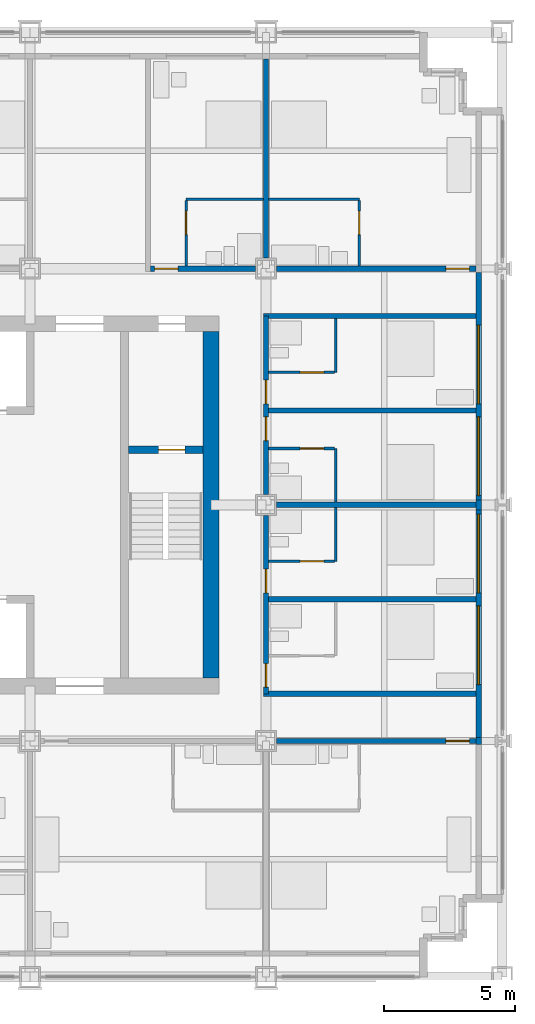
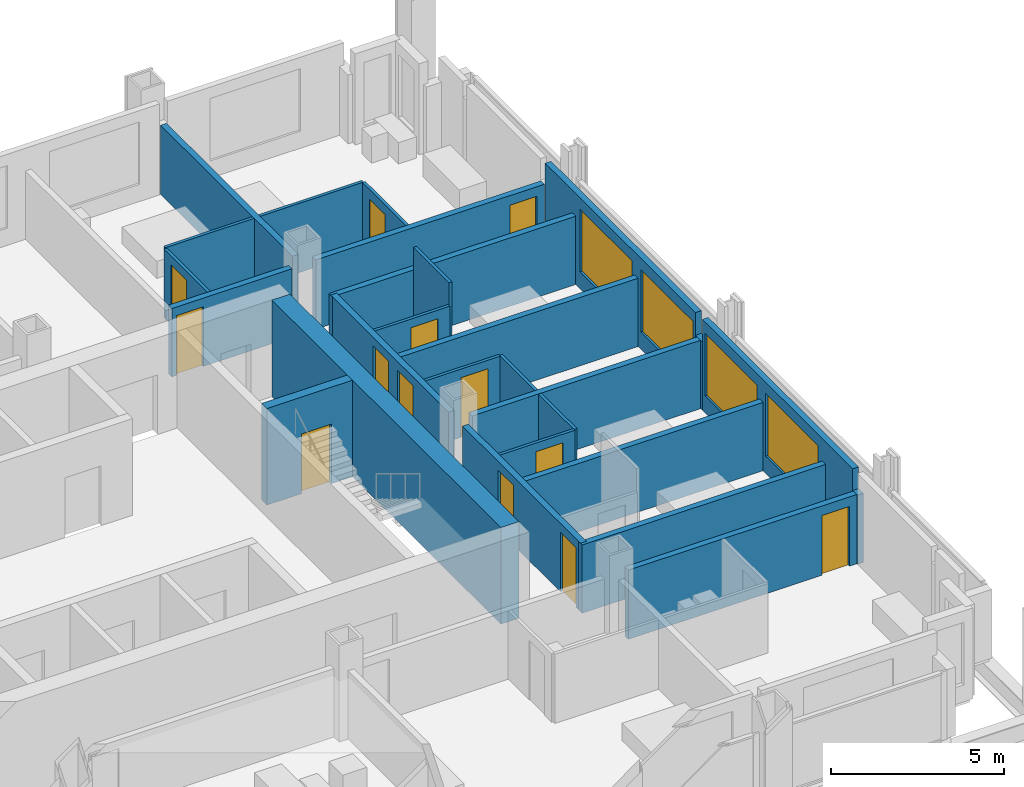
# One storey, part 12 of 16: 27 walls, 13 doors, 4 windows, 17 openings.
"""IFC4 building model written with IfcOpenShell, lengths in metres."""

from ifc_helpers import new_model, si_unit, direction, frame, frame_2d, origin, place, context, subcontext, project, spatial, rectangle, extrude, material, layer, layer_set, type_object, element, fill, save


model = new_model("IFC4")

# Units and contexts
model_context = context("Model", 3, precision=1e-05, world=origin(), true_north=direction((0.0, 1.0)))
body_context = subcontext(model_context, "Body", "Model", "MODEL_VIEW")
ifc_project = project(units=[si_unit("LENGTHUNIT", "METRE"), si_unit("AREAUNIT", "SQUARE_METRE"), si_unit("VOLUMEUNIT", "CUBIC_METRE"), si_unit("PLANEANGLEUNIT", "RADIAN"), si_unit("MASSUNIT", "GRAM", prefix="KILO")], contexts=[model_context])

# Site, building, storey
site_placement = place(None, origin())
site = spatial("IfcSite", under=ifc_project, at=site_placement, CompositionType="ELEMENT")
building_placement = place(site_placement, origin())
building = spatial("IfcBuilding", under=site, at=building_placement, Name="Loomwork Tower", CompositionType="ELEMENT")
storey_placement = place(building_placement, frame((0.0, 0.0, 107.800048828125)))
storey = spatial("IfcBuildingStorey", under=building, at=storey_placement, Name="L28", CompositionType="ELEMENT", Elevation=107.800048828125)

# Wall, opening, door
ifc_material_1 = material(Name="Concrete 14000 psi (97 MPa)", Category="concrete")
ifc_layer_1 = layer(ifc_material_1, 0.300048828125)
ifc_layer_set_1 = layer_set([ifc_layer_1], Name="Core shear wall 300")
wall_type_1 = type_object("IfcWallType", Name="Core shear wall 300", PredefinedType="SHEAR", material=ifc_layer_set_1)
wall_1_placement = place(storey_placement, frame((30.75, 20.10009765625, 0.0), z_axis=(0.0, 0.0, 1.0), x_axis=(1.0, 0.0, 0.0)))
wall_1 = element("IfcWall", 1, at=wall_1_placement, inside=storey, type_object=wall_type_1, Name="Stair B north wall L28", PredefinedType="SHEAR", context=body_context, shape_type="SweptSolid", body=[
    extrude(rectangle(XDim=2.85009765625, YDim=0.300048828125, at=frame_2d((1.425048828125, 0.0))), origin(), (0.0, 0.0, 1.0), 3.39990234375),
])
opening_1_placement = place(wall_1_placement, frame((1.14990234375, 0.0, 0.0)))
opening_1 = element("IfcOpeningElement", 2, at=opening_1_placement, cuts=wall_1, Name="Opening D4", PredefinedType="OPENING", context=body_context, shape_type="SweptSolid", body=[
    extrude(rectangle(XDim=1.0, YDim=2.10009765625, at=frame_2d((0.5, 1.050048828125))), frame((0.0, 0.159912109375, 0.0), z_axis=(0.0, -1.0, 0.0), x_axis=(1.0, 0.0, 0.0)), (0.0, 0.0, 1.0), 0.320068359375),
])
ifc_material_2 = material(Name="Hollow metal door and frame")
door_type_1 = type_object("IfcDoorType", Name="Stair door 1000", OperationType="SINGLE_SWING_RIGHT", PredefinedType="DOOR", material=ifc_material_2)
door_1_placement = place(opening_1_placement, frame((1.0, 0.0, 0.0), z_axis=(0.0, 0.0, 1.0), x_axis=(-1.0, 0.0, 0.0)))
door_1 = element("IfcDoor", 3, at=door_1_placement, inside=storey, type_object=door_type_1, Name="Stair B door", OperationType="SINGLE_SWING_LEFT", OverallHeight=2.10009765625, OverallWidth=1.0, PredefinedType="DOOR", context=body_context, shape_type="SweptSolid", body=[
    extrude(rectangle(XDim=1.0, YDim=2.10009765625, at=frame_2d((0.5, 1.050048828125))), frame((0.0, 0.02490234375, 0.0), z_axis=(0.0, -1.0, 0.0), x_axis=(1.0, 0.0, 0.0)), (0.0, 0.0, 1.0), 0.050048828125),
])
fill(opening_1, door_1)

# Wall
ifc_material_3 = material(Name="Concrete 14000 psi (97 MPa)", Category="concrete")
ifc_layer_2 = layer(ifc_material_3, 0.60009765625)
ifc_layer_set_2 = layer_set([ifc_layer_2], Name="Core shear wall 600")
wall_type_2 = type_object("IfcWallType", Name="Core shear wall 600", PredefinedType="SHEAR", material=ifc_layer_set_2)
wall_2_placement = place(storey_placement, frame((33.89990234375, 11.39990234375, 0.0), z_axis=(0.0, 0.0, 1.0), x_axis=(0.0, 1.0, 0.0)))
element("IfcWall", 4, at=wall_2_placement, inside=storey, type_object=wall_type_2, Name="Core wall east L28", PredefinedType="SHEAR", context=body_context, shape_type="SweptSolid", body=[
    extrude(rectangle(XDim=13.2001953125, YDim=0.60009765625, at=frame_2d((6.60009765625, 0.0))), origin(), (0.0, 0.0, 1.0), 3.39990234375),
])

# Wall, opening, door
ifc_material_4 = material(Name="Gypsum board on steel studs, one-hour", Category="steel")
ifc_layer_3 = layer(ifc_material_4, 0.199951171875)
ifc_layer_set_3 = layer_set([ifc_layer_3], Name="Corridor wall 200")
wall_type_3 = type_object("IfcWallType", Name="Corridor wall 200", PredefinedType="PARTITIONING", material=ifc_layer_set_3)
wall_3_placement = place(storey_placement, frame((36.39990234375, 9.0, 0.0), z_axis=(0.0, 0.0, 1.0), x_axis=(1.0, 0.0, 0.0)))
wall_3 = element("IfcWall", 5, at=wall_3_placement, inside=storey, type_object=wall_type_3, Name="South corridor wall 5", PredefinedType="PARTITIONING", context=body_context, shape_type="SweptSolid", body=[
    extrude(rectangle(XDim=7.60009765625, YDim=0.199951171875, at=frame_2d((3.800048828125, 0.0))), origin(), (0.0, 0.0, 1.0), 2.43798828125),
])
opening_2_placement = place(wall_3_placement, frame((6.449951171875, 0.0, 0.0)))
opening_2 = element("IfcOpeningElement", 6, at=opening_2_placement, cuts=wall_3, Name="Opening D1", PredefinedType="OPENING", context=body_context, shape_type="SweptSolid", body=[
    extrude(rectangle(XDim=0.89990234375, YDim=2.10009765625, at=frame_2d((0.449951171875, 1.050048828125))), frame((0.0, 0.10986328125, 0.0), z_axis=(0.0, -1.0, 0.0), x_axis=(1.0, 0.0, 0.0)), (0.0, 0.0, 1.0), 0.219970703125),
])
ifc_material_5 = material(Name="Hollow metal door and frame")
door_type_2 = type_object("IfcDoorType", Name="Guest room entry door 900", OperationType="SINGLE_SWING_LEFT", PredefinedType="DOOR", material=ifc_material_5)
door_2_placement = place(opening_2_placement, frame((0.89990234375, 0.0, 0.0), z_axis=(0.0, 0.0, 1.0), x_axis=(-1.0, 0.0, 0.0)))
door_2 = element("IfcDoor", 7, at=door_2_placement, inside=storey, type_object=door_type_2, Name="Guest room entry door L28 5", OperationType="SINGLE_SWING_LEFT", OverallHeight=2.10009765625, OverallWidth=0.89990234375, PredefinedType="DOOR", context=body_context, shape_type="SweptSolid", body=[
    extrude(rectangle(XDim=0.89990234375, YDim=2.10009765625, at=frame_2d((0.449951171875, 1.050048828125))), frame((0.0, 0.02490234375, 0.0), z_axis=(0.0, -1.0, 0.0), x_axis=(1.0, 0.0, 0.0)), (0.0, 0.0, 1.0), 0.050048828125),
])
fill(opening_2, door_2)

wall_4_placement = place(storey_placement, frame((31.60009765625, 27.0, 0.0), z_axis=(0.0, 0.0, 1.0), x_axis=(1.0, 0.0, 0.0)))
wall_4 = element("IfcWall", 8, at=wall_4_placement, inside=storey, type_object=wall_type_3, Name="North corridor wall 4", PredefinedType="PARTITIONING", context=body_context, shape_type="SweptSolid", body=[
    extrude(rectangle(XDim=4.0, YDim=0.199951171875, at=frame_2d((2.0, 0.0))), origin(), (0.0, 0.0, 1.0), 2.405029296875),
])
opening_3_placement = place(wall_4_placement, frame((0.14990234375, 0.0, 0.0)))
opening_3 = element("IfcOpeningElement", 9, at=opening_3_placement, cuts=wall_4, Name="Opening D1", PredefinedType="OPENING", context=body_context, shape_type="SweptSolid", body=[
    extrude(rectangle(XDim=0.89990234375, YDim=2.10009765625, at=frame_2d((0.449951171875, 1.050048828125))), frame((0.0, 0.10986328125, 0.0), z_axis=(0.0, -1.0, 0.0), x_axis=(1.0, 0.0, 0.0)), (0.0, 0.0, 1.0), 0.219970703125),
])
door_3_placement = place(opening_3_placement, origin())
door_3 = element("IfcDoor", 10, at=door_3_placement, inside=storey, type_object=door_type_2, Name="Guest room entry door L28 9", OperationType="SINGLE_SWING_LEFT", OverallHeight=2.10009765625, OverallWidth=0.89990234375, PredefinedType="DOOR", context=body_context, shape_type="SweptSolid", body=[
    extrude(rectangle(XDim=0.89990234375, YDim=2.10009765625, at=frame_2d((0.449951171875, 1.050048828125))), frame((0.0, 0.02490234375, 0.0), z_axis=(0.0, -1.0, 0.0), x_axis=(1.0, 0.0, 0.0)), (0.0, 0.0, 1.0), 0.050048828125),
])
fill(opening_3, door_3)

wall_5_placement = place(storey_placement, frame((36.39990234375, 27.0, 0.0), z_axis=(0.0, 0.0, 1.0), x_axis=(1.0, 0.0, 0.0)))
wall_5 = element("IfcWall", 11, at=wall_5_placement, inside=storey, type_object=wall_type_3, Name="North corridor wall 5", PredefinedType="PARTITIONING", context=body_context, shape_type="SweptSolid", body=[
    extrude(rectangle(XDim=7.60009765625, YDim=0.199951171875, at=frame_2d((3.800048828125, 0.0))), origin(), (0.0, 0.0, 1.0), 2.43798828125),
])
opening_4_placement = place(wall_5_placement, frame((6.449951171875, 0.0, 0.0)))
opening_4 = element("IfcOpeningElement", 12, at=opening_4_placement, cuts=wall_5, Name="Opening D1", PredefinedType="OPENING", context=body_context, shape_type="SweptSolid", body=[
    extrude(rectangle(XDim=0.89990234375, YDim=2.10009765625, at=frame_2d((0.449951171875, 1.050048828125))), frame((0.0, 0.10986328125, 0.0), z_axis=(0.0, -1.0, 0.0), x_axis=(1.0, 0.0, 0.0)), (0.0, 0.0, 1.0), 0.219970703125),
])
door_4_placement = place(opening_4_placement, origin())
door_4 = element("IfcDoor", 13, at=door_4_placement, inside=storey, type_object=door_type_2, Name="Guest room entry door L28 10", OperationType="SINGLE_SWING_RIGHT", OverallHeight=2.10009765625, OverallWidth=0.89990234375, PredefinedType="DOOR", context=body_context, shape_type="SweptSolid", body=[
    extrude(rectangle(XDim=0.89990234375, YDim=2.10009765625, at=frame_2d((0.449951171875, 1.050048828125))), frame((0.0, 0.02490234375, 0.0), z_axis=(0.0, -1.0, 0.0), x_axis=(1.0, 0.0, 0.0)), (0.0, 0.0, 1.0), 0.050048828125),
])
fill(opening_4, door_4)

# Wall, openings, doors
wall_6_placement = place(storey_placement, frame((36.0, 10.800048828125, 0.0), z_axis=(0.0, 0.0, 1.0), x_axis=(0.0, 1.0, 0.0)))
wall_6 = element("IfcWall", 14, at=wall_6_placement, inside=storey, type_object=wall_type_3, Name="East corridor wall 1", PredefinedType="PARTITIONING", context=body_context, shape_type="SweptSolid", body=[
    extrude(rectangle(XDim=6.800048828125, YDim=0.199951171875, at=frame_2d((3.39990234375, 0.0))), origin(), (0.0, 0.0, 1.0), 2.405029296875),
])
opening_5_placement = place(wall_6_placement, frame((0.25, 0.0, 0.0)))
opening_5 = element("IfcOpeningElement", 15, at=opening_5_placement, cuts=wall_6, Name="Opening D1", PredefinedType="OPENING", context=body_context, shape_type="SweptSolid", body=[
    extrude(rectangle(XDim=0.89990234375, YDim=2.10009765625, at=frame_2d((0.449951171875, 1.050048828125))), frame((0.0, 0.10986328125, 0.0), z_axis=(0.0, -1.0, 0.0), x_axis=(1.0, 0.0, 0.0)), (0.0, 0.0, 1.0), 0.219970703125),
])
opening_6_placement = place(wall_6_placement, frame((3.85009765625, 0.0, 0.0)))
opening_6 = element("IfcOpeningElement", 16, at=opening_6_placement, cuts=wall_6, Name="Opening D1", PredefinedType="OPENING", context=body_context, shape_type="SweptSolid", body=[
    extrude(rectangle(XDim=0.89990234375, YDim=2.10009765625, at=frame_2d((0.449951171875, 1.050048828125))), frame((0.0, 0.10986328125, 0.0), z_axis=(0.0, -1.0, 0.0), x_axis=(1.0, 0.0, 0.0)), (0.0, 0.0, 1.0), 0.219970703125),
])
door_5_placement = place(opening_5_placement, frame((0.89990234375, 0.0, 0.0), z_axis=(0.0, 0.0, 1.0), x_axis=(-1.0, 0.0, 0.0)))
door_5 = element("IfcDoor", 17, at=door_5_placement, inside=storey, type_object=door_type_2, Name="Guest room entry door L28 15", OperationType="SINGLE_SWING_RIGHT", OverallHeight=2.10009765625, OverallWidth=0.89990234375, PredefinedType="DOOR", context=body_context, shape_type="SweptSolid", body=[
    extrude(rectangle(XDim=0.89990234375, YDim=2.10009765625, at=frame_2d((0.449951171875, 1.050048828125))), frame((0.0, 0.02490234375, 0.0), z_axis=(0.0, -1.0, 0.0), x_axis=(1.0, 0.0, 0.0)), (0.0, 0.0, 1.0), 0.050048828125),
])
fill(opening_5, door_5)
door_6_placement = place(opening_6_placement, frame((0.89990234375, 0.0, 0.0), z_axis=(0.0, 0.0, 1.0), x_axis=(-1.0, 0.0, 0.0)))
door_6 = element("IfcDoor", 18, at=door_6_placement, inside=storey, type_object=door_type_2, Name="Guest room entry door L28 16", OperationType="SINGLE_SWING_RIGHT", OverallHeight=2.10009765625, OverallWidth=0.89990234375, PredefinedType="DOOR", context=body_context, shape_type="SweptSolid", body=[
    extrude(rectangle(XDim=0.89990234375, YDim=2.10009765625, at=frame_2d((0.449951171875, 1.050048828125))), frame((0.0, 0.02490234375, 0.0), z_axis=(0.0, -1.0, 0.0), x_axis=(1.0, 0.0, 0.0)), (0.0, 0.0, 1.0), 0.050048828125),
])
fill(opening_6, door_6)

wall_7_placement = place(storey_placement, frame((36.0, 18.39990234375, 0.0), z_axis=(0.0, 0.0, 1.0), x_axis=(0.0, 1.0, 0.0)))
wall_7 = element("IfcWall", 19, at=wall_7_placement, inside=storey, type_object=wall_type_3, Name="East corridor wall 2", PredefinedType="PARTITIONING", context=body_context, shape_type="SweptSolid", body=[
    extrude(rectangle(XDim=6.800048828125, YDim=0.199951171875, at=frame_2d((3.39990234375, 0.0))), origin(), (0.0, 0.0, 1.0), 2.405029296875),
])
opening_7_placement = place(wall_7_placement, frame((2.050048828125, 0.0, 0.0)))
opening_7 = element("IfcOpeningElement", 20, at=opening_7_placement, cuts=wall_7, Name="Opening D1", PredefinedType="OPENING", context=body_context, shape_type="SweptSolid", body=[
    extrude(rectangle(XDim=0.89990234375, YDim=2.10009765625, at=frame_2d((0.449951171875, 1.050048828125))), frame((0.0, 0.10986328125, 0.0), z_axis=(0.0, -1.0, 0.0), x_axis=(1.0, 0.0, 0.0)), (0.0, 0.0, 1.0), 0.219970703125),
])
opening_8_placement = place(wall_7_placement, frame((3.449951171875, 0.0, 0.0)))
opening_8 = element("IfcOpeningElement", 21, at=opening_8_placement, cuts=wall_7, Name="Opening D1", PredefinedType="OPENING", context=body_context, shape_type="SweptSolid", body=[
    extrude(rectangle(XDim=0.89990234375, YDim=2.10009765625, at=frame_2d((0.449951171875, 1.050048828125))), frame((0.0, 0.10986328125, 0.0), z_axis=(0.0, -1.0, 0.0), x_axis=(1.0, 0.0, 0.0)), (0.0, 0.0, 1.0), 0.219970703125),
])
door_7_placement = place(opening_7_placement, frame((0.89990234375, 0.0, 0.0), z_axis=(0.0, 0.0, 1.0), x_axis=(-1.0, 0.0, 0.0)))
door_7 = element("IfcDoor", 22, at=door_7_placement, inside=storey, type_object=door_type_2, Name="Guest room entry door L28 17", OperationType="SINGLE_SWING_LEFT", OverallHeight=2.10009765625, OverallWidth=0.89990234375, PredefinedType="DOOR", context=body_context, shape_type="SweptSolid", body=[
    extrude(rectangle(XDim=0.89990234375, YDim=2.10009765625, at=frame_2d((0.449951171875, 1.050048828125))), frame((0.0, 0.02490234375, 0.0), z_axis=(0.0, -1.0, 0.0), x_axis=(1.0, 0.0, 0.0)), (0.0, 0.0, 1.0), 0.050048828125),
])
fill(opening_7, door_7)
door_8_placement = place(opening_8_placement, frame((0.89990234375, 0.0, 0.0), z_axis=(0.0, 0.0, 1.0), x_axis=(-1.0, 0.0, 0.0)))
door_8 = element("IfcDoor", 23, at=door_8_placement, inside=storey, type_object=door_type_2, Name="Guest room entry door L28 18", OperationType="SINGLE_SWING_RIGHT", OverallHeight=2.10009765625, OverallWidth=0.89990234375, PredefinedType="DOOR", context=body_context, shape_type="SweptSolid", body=[
    extrude(rectangle(XDim=0.89990234375, YDim=2.10009765625, at=frame_2d((0.449951171875, 1.050048828125))), frame((0.0, 0.02490234375, 0.0), z_axis=(0.0, -1.0, 0.0), x_axis=(1.0, 0.0, 0.0)), (0.0, 0.0, 1.0), 0.050048828125),
])
fill(opening_8, door_8)

# Walls
for number, where, z_axis, x_axis, name in (
    (24, (35.89990234375, 10.800048828125, 0.0), (0.0, 0.0, 1.0), (1.0, 0.0, 0.0), "East band end wall S"),
    (25, (35.89990234375, 25.199951171875, 0.0), (0.0, 0.0, 1.0), (1.0, 0.0, 0.0), "East band end wall N"),
):
    element("IfcWall", number, at=place(storey_placement, frame(where, z_axis=z_axis, x_axis=x_axis)), inside=storey, type_object=wall_type_3, Name=name, PredefinedType="PARTITIONING", context=body_context, shape_type="SweptSolid", body=[
        extrude(rectangle(XDim=8.10009765625, YDim=0.199951171875, at=frame_2d((4.050048828125, 0.0))), origin(), (0.0, 0.0, 1.0), 2.404052734375),
    ])
ifc_material_6 = material(Name="Cement board on steel studs", Category="steel")
ifc_layer_4 = layer(ifc_material_6, 0.10009765625)
ifc_layer_set_4 = layer_set([ifc_layer_4], Name="En-suite partition 100")
wall_type_4 = type_object("IfcWallType", Name="En-suite partition 100", PredefinedType="PARTITIONING", material=ifc_layer_set_4)
wall_8_placement = place(storey_placement, frame((32.949951171875, 29.64990234375, 0.0), z_axis=(0.0, 0.0, 1.0), x_axis=(1.0, 0.0, 0.0)))
element("IfcWall", 26, at=wall_8_placement, inside=storey, type_object=wall_type_4, Name="En-suite wall L28 room 9", PredefinedType="PARTITIONING", context=body_context, shape_type="SweptSolid", body=[
    extrude(rectangle(XDim=2.949951171875, YDim=0.10009765625, at=frame_2d((1.47509765625, 0.0))), origin(), (0.0, 0.0, 1.0), 2.43798828125),
])

# Wall, opening, door
wall_9_placement = place(storey_placement, frame((32.949951171875, 27.10009765625, 0.0), z_axis=(0.0, 0.0, 1.0), x_axis=(0.0, 1.0, 0.0)))
wall_9 = element("IfcWall", 27, at=wall_9_placement, inside=storey, type_object=wall_type_4, Name="En-suite side wall L28 room 9", PredefinedType="PARTITIONING", context=body_context, shape_type="SweptSolid", body=[
    extrude(rectangle(XDim=2.5, YDim=0.10009765625, at=frame_2d((1.25, 0.0))), origin(), (0.0, 0.0, 1.0), 2.404052734375),
])
opening_9_placement = place(wall_9_placement, frame((1.199951171875, 0.0, 0.0)))
opening_9 = element("IfcOpeningElement", 28, at=opening_9_placement, cuts=wall_9, Name="Opening D2", PredefinedType="OPENING", context=body_context, shape_type="SweptSolid", body=[
    extrude(rectangle(XDim=0.89990234375, YDim=2.10009765625, at=frame_2d((0.449951171875, 1.050048828125))), frame((0.0, 0.06005859375, 0.0), z_axis=(0.0, -1.0, 0.0), x_axis=(1.0, 0.0, 0.0)), (0.0, 0.0, 1.0), 0.1201171875),
])
ifc_material_7 = material(Name="Hollow metal door and frame")
door_type_3 = type_object("IfcDoorType", Name="En-suite door 900", OperationType="SINGLE_SWING_LEFT", PredefinedType="DOOR", material=ifc_material_7)
door_9_placement = place(opening_9_placement, frame((0.89990234375, 0.0, 0.0), z_axis=(0.0, 0.0, 1.0), x_axis=(-1.0, 0.0, 0.0)))
door_9 = element("IfcDoor", 29, at=door_9_placement, inside=storey, type_object=door_type_3, Name="En-suite door room 9", OperationType="SINGLE_SWING_LEFT", OverallHeight=2.10009765625, OverallWidth=0.89990234375, PredefinedType="DOOR", context=body_context, shape_type="SweptSolid", body=[
    extrude(rectangle(XDim=0.89990234375, YDim=2.10009765625, at=frame_2d((0.449951171875, 1.050048828125))), frame((0.0, 0.02490234375, 0.0), z_axis=(0.0, -1.0, 0.0), x_axis=(1.0, 0.0, 0.0)), (0.0, 0.0, 1.0), 0.050048828125),
])
fill(opening_9, door_9)

# Wall
wall_10_placement = place(storey_placement, frame((36.10009765625, 29.64990234375, 0.0), z_axis=(0.0, 0.0, 1.0), x_axis=(1.0, 0.0, 0.0)))
element("IfcWall", 30, at=wall_10_placement, inside=storey, type_object=wall_type_4, Name="En-suite wall L28 room 10", PredefinedType="PARTITIONING", context=body_context, shape_type="SweptSolid", body=[
    extrude(rectangle(XDim=3.449951171875, YDim=0.10009765625, at=frame_2d((1.72509765625, 0.0))), origin(), (0.0, 0.0, 1.0), 2.43798828125),
])

# Wall, opening, door
wall_11_placement = place(storey_placement, frame((39.550048828125, 27.10009765625, 0.0), z_axis=(0.0, 0.0, 1.0), x_axis=(0.0, 1.0, 0.0)))
wall_11 = element("IfcWall", 31, at=wall_11_placement, inside=storey, type_object=wall_type_4, Name="En-suite side wall L28 room 10", PredefinedType="PARTITIONING", context=body_context, shape_type="SweptSolid", body=[
    extrude(rectangle(XDim=2.5, YDim=0.10009765625, at=frame_2d((1.25, 0.0))), origin(), (0.0, 0.0, 1.0), 2.43798828125),
])
opening_10_placement = place(wall_11_placement, frame((1.199951171875, 0.0, 0.0)))
opening_10 = element("IfcOpeningElement", 32, at=opening_10_placement, cuts=wall_11, Name="Opening D2", PredefinedType="OPENING", context=body_context, shape_type="SweptSolid", body=[
    extrude(rectangle(XDim=0.89990234375, YDim=2.10009765625, at=frame_2d((0.449951171875, 1.050048828125))), frame((0.0, 0.06005859375, 0.0), z_axis=(0.0, -1.0, 0.0), x_axis=(1.0, 0.0, 0.0)), (0.0, 0.0, 1.0), 0.1201171875),
])
door_10_placement = place(opening_10_placement, origin())
door_10 = element("IfcDoor", 33, at=door_10_placement, inside=storey, type_object=door_type_3, Name="En-suite door room 10", OperationType="SINGLE_SWING_RIGHT", OverallHeight=2.10009765625, OverallWidth=0.89990234375, PredefinedType="DOOR", context=body_context, shape_type="SweptSolid", body=[
    extrude(rectangle(XDim=0.89990234375, YDim=2.10009765625, at=frame_2d((0.449951171875, 1.050048828125))), frame((0.0, 0.02490234375, 0.0), z_axis=(0.0, -1.0, 0.0), x_axis=(1.0, 0.0, 0.0)), (0.0, 0.0, 1.0), 0.050048828125),
])
fill(opening_10, door_10)

# Wall
wall_12_placement = place(storey_placement, frame((38.64990234375, 15.85009765625, 0.0), z_axis=(0.0, 0.0, 1.0), x_axis=(0.0, 1.0, 0.0)))
element("IfcWall", 34, at=wall_12_placement, inside=storey, type_object=wall_type_4, Name="En-suite wall L28 room 16", PredefinedType="PARTITIONING", context=body_context, shape_type="SweptSolid", body=[
    extrude(rectangle(XDim=2.0498046875, YDim=0.10009765625, at=frame_2d((1.02490234375, 0.0))), origin(), (0.0, 0.0, 1.0), 2.404052734375),
])

# Wall, opening, door
wall_13_placement = place(storey_placement, frame((36.10009765625, 15.85009765625, 0.0), z_axis=(0.0, 0.0, 1.0), x_axis=(1.0, 0.0, 0.0)))
wall_13 = element("IfcWall", 35, at=wall_13_placement, inside=storey, type_object=wall_type_4, Name="En-suite side wall L28 room 16", PredefinedType="PARTITIONING", context=body_context, shape_type="SweptSolid", body=[
    extrude(rectangle(XDim=2.5, YDim=0.10009765625, at=frame_2d((1.25, 0.0))), origin(), (0.0, 0.0, 1.0), 2.404052734375),
])
opening_11_placement = place(wall_13_placement, frame((1.199951171875, 0.0, 0.0)))
opening_11 = element("IfcOpeningElement", 36, at=opening_11_placement, cuts=wall_13, Name="Opening D2", PredefinedType="OPENING", context=body_context, shape_type="SweptSolid", body=[
    extrude(rectangle(XDim=0.89990234375, YDim=2.10009765625, at=frame_2d((0.449951171875, 1.050048828125))), frame((0.0, 0.06005859375, 0.0), z_axis=(0.0, -1.0, 0.0), x_axis=(1.0, 0.0, 0.0)), (0.0, 0.0, 1.0), 0.1201171875),
])
door_11_placement = place(opening_11_placement, origin())
door_11 = element("IfcDoor", 37, at=door_11_placement, inside=storey, type_object=door_type_3, Name="En-suite door room 16", OperationType="SINGLE_SWING_RIGHT", OverallHeight=2.10009765625, OverallWidth=0.89990234375, PredefinedType="DOOR", context=body_context, shape_type="SweptSolid", body=[
    extrude(rectangle(XDim=0.89990234375, YDim=2.10009765625, at=frame_2d((0.449951171875, 1.050048828125))), frame((0.0, 0.02490234375, 0.0), z_axis=(0.0, -1.0, 0.0), x_axis=(1.0, 0.0, 0.0)), (0.0, 0.0, 1.0), 0.050048828125),
])
fill(opening_11, door_11)

# Wall
wall_14_placement = place(storey_placement, frame((38.64990234375, 18.10009765625, 0.0), z_axis=(0.0, 0.0, 1.0), x_axis=(0.0, 1.0, 0.0)))
element("IfcWall", 38, at=wall_14_placement, inside=storey, type_object=wall_type_4, Name="En-suite wall L28 room 17", PredefinedType="PARTITIONING", context=body_context, shape_type="SweptSolid", body=[
    extrude(rectangle(XDim=2.0498046875, YDim=0.10009765625, at=frame_2d((1.02490234375, 0.0))), origin(), (0.0, 0.0, 1.0), 2.404052734375),
])

# Wall, opening, door
wall_15_placement = place(storey_placement, frame((36.10009765625, 20.14990234375, 0.0), z_axis=(0.0, 0.0, 1.0), x_axis=(1.0, 0.0, 0.0)))
wall_15 = element("IfcWall", 39, at=wall_15_placement, inside=storey, type_object=wall_type_4, Name="En-suite side wall L28 room 17", PredefinedType="PARTITIONING", context=body_context, shape_type="SweptSolid", body=[
    extrude(rectangle(XDim=2.5, YDim=0.10009765625, at=frame_2d((1.25, 0.0))), origin(), (0.0, 0.0, 1.0), 2.404052734375),
])
opening_12_placement = place(wall_15_placement, frame((1.199951171875, 0.0, 0.0)))
opening_12 = element("IfcOpeningElement", 40, at=opening_12_placement, cuts=wall_15, Name="Opening D2", PredefinedType="OPENING", context=body_context, shape_type="SweptSolid", body=[
    extrude(rectangle(XDim=0.89990234375, YDim=2.10009765625, at=frame_2d((0.449951171875, 1.050048828125))), frame((0.0, 0.06005859375, 0.0), z_axis=(0.0, -1.0, 0.0), x_axis=(1.0, 0.0, 0.0)), (0.0, 0.0, 1.0), 0.1201171875),
])
door_12_placement = place(opening_12_placement, frame((0.89990234375, 0.0, 0.0), z_axis=(0.0, 0.0, 1.0), x_axis=(-1.0, 0.0, 0.0)))
door_12 = element("IfcDoor", 41, at=door_12_placement, inside=storey, type_object=door_type_3, Name="En-suite door room 17", OperationType="SINGLE_SWING_LEFT", OverallHeight=2.10009765625, OverallWidth=0.89990234375, PredefinedType="DOOR", context=body_context, shape_type="SweptSolid", body=[
    extrude(rectangle(XDim=0.89990234375, YDim=2.10009765625, at=frame_2d((0.449951171875, 1.050048828125))), frame((0.0, 0.02490234375, 0.0), z_axis=(0.0, -1.0, 0.0), x_axis=(1.0, 0.0, 0.0)), (0.0, 0.0, 1.0), 0.050048828125),
])
fill(opening_12, door_12)

# Wall
wall_16_placement = place(storey_placement, frame((38.64990234375, 23.050048828125, 0.0), z_axis=(0.0, 0.0, 1.0), x_axis=(0.0, 1.0, 0.0)))
element("IfcWall", 42, at=wall_16_placement, inside=storey, type_object=wall_type_4, Name="En-suite wall L28 room 18", PredefinedType="PARTITIONING", context=body_context, shape_type="SweptSolid", body=[
    extrude(rectangle(XDim=2.050048828125, YDim=0.10009765625, at=frame_2d((1.02490234375, 0.0))), origin(), (0.0, 0.0, 1.0), 3.199951171875),
])

# Wall, opening, door
wall_17_placement = place(storey_placement, frame((36.10009765625, 23.050048828125, 0.0), z_axis=(0.0, 0.0, 1.0), x_axis=(1.0, 0.0, 0.0)))
wall_17 = element("IfcWall", 43, at=wall_17_placement, inside=storey, type_object=wall_type_4, Name="En-suite side wall L28 room 18", PredefinedType="PARTITIONING", context=body_context, shape_type="SweptSolid", body=[
    extrude(rectangle(XDim=2.5, YDim=0.10009765625, at=frame_2d((1.25, 0.0))), origin(), (0.0, 0.0, 1.0), 2.404052734375),
])
opening_13_placement = place(wall_17_placement, frame((1.199951171875, 0.0, 0.0)))
opening_13 = element("IfcOpeningElement", 44, at=opening_13_placement, cuts=wall_17, Name="Opening D3", PredefinedType="OPENING", context=body_context, shape_type="SweptSolid", body=[
    extrude(rectangle(XDim=0.89990234375, YDim=2.10009765625, at=frame_2d((0.449951171875, 1.050048828125))), frame((0.0, 0.06005859375, 0.0), z_axis=(0.0, -1.0, 0.0), x_axis=(1.0, 0.0, 0.0)), (0.0, 0.0, 1.0), 0.1201171875),
])
ifc_material_8 = material(Name="Hollow metal door and frame")
door_type_4 = type_object("IfcDoorType", Name="Accessible en-suite door 900", OperationType="SLIDING_TO_LEFT", PredefinedType="DOOR", material=ifc_material_8)
door_13_placement = place(opening_13_placement, origin())
door_13 = element("IfcDoor", 45, at=door_13_placement, inside=storey, type_object=door_type_4, Name="Accessible en-suite door room 18", OperationType="SLIDING_TO_LEFT", OverallHeight=2.10009765625, OverallWidth=0.89990234375, PredefinedType="DOOR", context=body_context, shape_type="SweptSolid", body=[
    extrude(rectangle(XDim=0.89990234375, YDim=2.10009765625, at=frame_2d((0.449951171875, 1.050048828125))), frame((0.0, 0.02490234375, 0.0), z_axis=(0.0, -1.0, 0.0), x_axis=(1.0, 0.0, 0.0)), (0.0, 0.0, 1.0), 0.050048828125),
])
fill(opening_13, door_13)

# Walls
ifc_material_9 = material(Name="Gypsum board on steel studs, acoustic", Category="steel")
ifc_layer_5 = layer(ifc_material_9, 0.199951171875)
ifc_layer_set_5 = layer_set([ifc_layer_5], Name="Guest room party wall 200")
wall_type_5 = type_object("IfcWallType", Name="Guest room party wall 200", PredefinedType="PARTITIONING", material=ifc_layer_set_5)
wall_18_placement = place(storey_placement, frame((36.0, 27.39990234375, 0.0), z_axis=(0.0, 0.0, 1.0), x_axis=(0.0, 1.0, 0.0)))
element("IfcWall", 46, at=wall_18_placement, inside=storey, type_object=wall_type_5, Name="Guest room party wall N 36", PredefinedType="PARTITIONING", context=body_context, shape_type="SweptSolid", body=[
    extrude(rectangle(XDim=7.60009765625, YDim=0.199951171875, at=frame_2d((3.800048828125, 0.0))), origin(), (0.0, 0.0, 1.0), 2.43798828125),
])
wall_19_placement = place(storey_placement, frame((36.10009765625, 14.39990234375, 0.0), z_axis=(0.0, 0.0, 1.0), x_axis=(1.0, 0.0, 0.0)))
element("IfcWall", 47, at=wall_19_placement, inside=storey, type_object=wall_type_5, Name="Guest room party wall E 14.4", PredefinedType="PARTITIONING", context=body_context, shape_type="SweptSolid", body=[
    extrude(rectangle(XDim=7.89990234375, YDim=0.199951171875, at=frame_2d((3.949951171875, 0.0))), origin(), (0.0, 0.0, 1.0), 2.404052734375),
])
wall_20_placement = place(storey_placement, frame((36.39990234375, 18.0, 0.0), z_axis=(0.0, 0.0, 1.0), x_axis=(1.0, 0.0, 0.0)))
element("IfcWall", 48, at=wall_20_placement, inside=storey, type_object=wall_type_5, Name="Guest room party wall E 18", PredefinedType="PARTITIONING", context=body_context, shape_type="SweptSolid", body=[
    extrude(rectangle(XDim=7.60009765625, YDim=0.199951171875, at=frame_2d((3.800048828125, 0.0))), origin(), (0.0, 0.0, 1.0), 2.405029296875),
])
wall_21_placement = place(storey_placement, frame((36.10009765625, 21.60009765625, 0.0), z_axis=(0.0, 0.0, 1.0), x_axis=(1.0, 0.0, 0.0)))
element("IfcWall", 49, at=wall_21_placement, inside=storey, type_object=wall_type_5, Name="Guest room party wall E 21.6", PredefinedType="PARTITIONING", context=body_context, shape_type="SweptSolid", body=[
    extrude(rectangle(XDim=7.89990234375, YDim=0.199951171875, at=frame_2d((3.949951171875, 0.0))), origin(), (0.0, 0.0, 1.0), 2.404052734375),
])
ifc_material_10 = material(Name="Insulated steel stud wall with gypsum lining", Category="steel")
ifc_layer_6 = layer(ifc_material_10, 0.199951171875)
ifc_layer_set_6 = layer_set([ifc_layer_6], Name="Inner skin wall 200")
wall_type_6 = type_object("IfcWallType", Name="Inner skin wall 200", PredefinedType="SOLIDWALL", material=ifc_layer_set_6)
wall_22_placement = place(storey_placement, frame((44.10009765625, 8.86474609375, 0.0), z_axis=(0.0, 0.0, 1.0), x_axis=(0.0, 1.0, 0.0)))
element("IfcWall", 50, at=wall_22_placement, inside=storey, type_object=wall_type_6, Name="Inner skin wall E bay 4", PredefinedType="SOLIDWALL", context=body_context, shape_type="SweptSolid", body=[
    extrude(rectangle(XDim=0.2705078125, YDim=0.199951171875, at=frame_2d((0.13525390625, 0.0))), origin(), (0.0, 0.0, 1.0), 2.43798828125),
])

# Wall, openings, windows
wall_23_placement = place(storey_placement, frame((44.10009765625, 9.13525390625, 0.0), z_axis=(0.0, 0.0, 1.0), x_axis=(0.0, 1.0, 0.0)))
wall_23 = element("IfcWall", 51, at=wall_23_placement, inside=storey, type_object=wall_type_6, Name="Inner skin wall E bay 5", PredefinedType="SOLIDWALL", context=body_context, shape_type="SweptSolid", body=[
    extrude(rectangle(XDim=8.6708984375, YDim=0.199951171875, at=frame_2d((4.33544921875, 0.0))), origin(), (0.0, 0.0, 1.0), 3.199951171875),
])
opening_14_placement = place(wall_23_placement, frame((2.0146484375, 0.0, 0.60009765625)))
opening_14 = element("IfcOpeningElement", 52, at=opening_14_placement, cuts=wall_23, Name="Opening CH1", PredefinedType="OPENING", context=body_context, shape_type="SweptSolid", body=[
    extrude(rectangle(XDim=3.0, YDim=2.199951171875, at=frame_2d((1.5, 1.10009765625))), frame((0.0, 0.10986328125, 0.0), z_axis=(0.0, -1.0, 0.0), x_axis=(1.0, 0.0, 0.0)), (0.0, 0.0, 1.0), 0.219970703125),
])
opening_15_placement = place(wall_23_placement, frame((5.5146484375, 0.0, 0.60009765625)))
opening_15 = element("IfcOpeningElement", 53, at=opening_15_placement, cuts=wall_23, Name="Opening CH1", PredefinedType="OPENING", context=body_context, shape_type="SweptSolid", body=[
    extrude(rectangle(XDim=3.0, YDim=2.199951171875, at=frame_2d((1.5, 1.10009765625))), frame((0.0, 0.10986328125, 0.0), z_axis=(0.0, -1.0, 0.0), x_axis=(1.0, 0.0, 0.0)), (0.0, 0.0, 1.0), 0.219970703125),
])
ifc_material_11 = material(Name="Aluminium frame with clear insulated glass", Category="aluminium")
window_type = type_object("IfcWindowType", Name="Chicago window 3000", PartitioningType="TRIPLE_PANEL_VERTICAL", PredefinedType="WINDOW", material=ifc_material_11)
window_1_placement = place(opening_14_placement, origin())
window_1 = element("IfcWindow", 54, at=window_1_placement, inside=storey, type_object=window_type, Name="Chicago window L28 bay 13", OverallHeight=2.199951171875, OverallWidth=3.0, PartitioningType="TRIPLE_PANEL_VERTICAL", PredefinedType="WINDOW", context=body_context, shape_type="SweptSolid", body=[
    extrude(rectangle(XDim=3.0, YDim=2.199951171875, at=frame_2d((1.5, 1.10009765625))), frame((0.0, 0.030029296875, 0.0), z_axis=(0.0, -1.0, 0.0), x_axis=(1.0, 0.0, 0.0)), (0.0, 0.0, 1.0), 0.06005859375),
])
fill(opening_14, window_1)
window_2_placement = place(opening_15_placement, origin())
window_2 = element("IfcWindow", 55, at=window_2_placement, inside=storey, type_object=window_type, Name="Chicago window L28 bay 13", OverallHeight=2.199951171875, OverallWidth=3.0, PartitioningType="TRIPLE_PANEL_VERTICAL", PredefinedType="WINDOW", context=body_context, shape_type="SweptSolid", body=[
    extrude(rectangle(XDim=3.0, YDim=2.199951171875, at=frame_2d((1.5, 1.10009765625))), frame((0.0, 0.030029296875, 0.0), z_axis=(0.0, -1.0, 0.0), x_axis=(1.0, 0.0, 0.0)), (0.0, 0.0, 1.0), 0.06005859375),
])
fill(opening_15, window_2)

# Wall
wall_24_placement = place(storey_placement, frame((44.10009765625, 17.80615234375, 0.0), z_axis=(0.0, 0.0, 1.0), x_axis=(0.0, 1.0, 0.0)))
element("IfcWall", 56, at=wall_24_placement, inside=storey, type_object=wall_type_6, Name="Inner skin wall E bay 6", PredefinedType="SOLIDWALL", context=body_context, shape_type="SweptSolid", body=[
    extrude(rectangle(XDim=0.3876953125, YDim=0.199951171875, at=frame_2d((0.19384765625, 0.0))), origin(), (0.0, 0.0, 1.0), 2.404052734375),
])

# Wall, openings, windows
wall_25_placement = place(storey_placement, frame((44.10009765625, 18.19384765625, 0.0), z_axis=(0.0, 0.0, 1.0), x_axis=(0.0, 1.0, 0.0)))
wall_25 = element("IfcWall", 57, at=wall_25_placement, inside=storey, type_object=wall_type_6, Name="Inner skin wall E bay 7", PredefinedType="SOLIDWALL", context=body_context, shape_type="SweptSolid", body=[
    extrude(rectangle(XDim=8.6708984375, YDim=0.199951171875, at=frame_2d((4.33544921875, 0.0))), origin(), (0.0, 0.0, 1.0), 3.199951171875),
])
opening_16_placement = place(wall_25_placement, frame((0.15625, 0.0, 0.60009765625)))
opening_16 = element("IfcOpeningElement", 58, at=opening_16_placement, cuts=wall_25, Name="Opening CH1", PredefinedType="OPENING", context=body_context, shape_type="SweptSolid", body=[
    extrude(rectangle(XDim=3.0, YDim=2.199951171875, at=frame_2d((1.5, 1.10009765625))), frame((0.0, 0.10986328125, 0.0), z_axis=(0.0, -1.0, 0.0), x_axis=(1.0, 0.0, 0.0)), (0.0, 0.0, 1.0), 0.219970703125),
])
opening_17_placement = place(wall_25_placement, frame((3.65625, 0.0, 0.60009765625)))
opening_17 = element("IfcOpeningElement", 59, at=opening_17_placement, cuts=wall_25, Name="Opening CH1", PredefinedType="OPENING", context=body_context, shape_type="SweptSolid", body=[
    extrude(rectangle(XDim=3.0, YDim=2.199951171875, at=frame_2d((1.5, 1.10009765625))), frame((0.0, 0.10986328125, 0.0), z_axis=(0.0, -1.0, 0.0), x_axis=(1.0, 0.0, 0.0)), (0.0, 0.0, 1.0), 0.219970703125),
])
window_3_placement = place(opening_16_placement, origin())
window_3 = element("IfcWindow", 60, at=window_3_placement, inside=storey, type_object=window_type, Name="Chicago window L28 bay 14", OverallHeight=2.199951171875, OverallWidth=3.0, PartitioningType="TRIPLE_PANEL_VERTICAL", PredefinedType="WINDOW", context=body_context, shape_type="SweptSolid", body=[
    extrude(rectangle(XDim=3.0, YDim=2.199951171875, at=frame_2d((1.5, 1.10009765625))), frame((0.0, 0.030029296875, 0.0), z_axis=(0.0, -1.0, 0.0), x_axis=(1.0, 0.0, 0.0)), (0.0, 0.0, 1.0), 0.06005859375),
])
fill(opening_16, window_3)
window_4_placement = place(opening_17_placement, origin())
window_4 = element("IfcWindow", 61, at=window_4_placement, inside=storey, type_object=window_type, Name="Chicago window L28 bay 14", OverallHeight=2.199951171875, OverallWidth=3.0, PartitioningType="TRIPLE_PANEL_VERTICAL", PredefinedType="WINDOW", context=body_context, shape_type="SweptSolid", body=[
    extrude(rectangle(XDim=3.0, YDim=2.199951171875, at=frame_2d((1.5, 1.10009765625))), frame((0.0, 0.030029296875, 0.0), z_axis=(0.0, -1.0, 0.0), x_axis=(1.0, 0.0, 0.0)), (0.0, 0.0, 1.0), 0.06005859375),
])
fill(opening_17, window_4)

save(model, "model.ifc")
